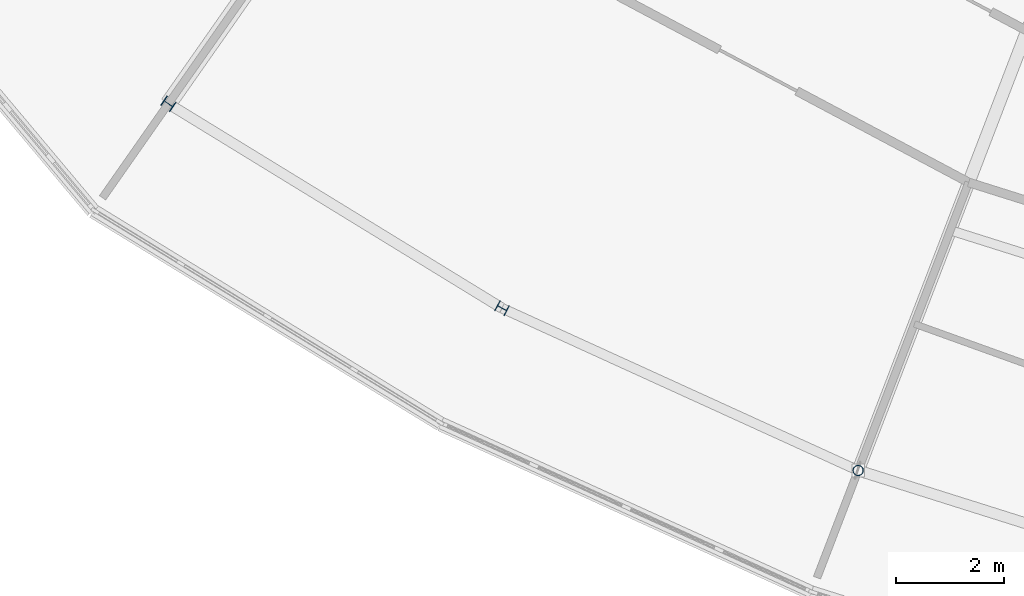
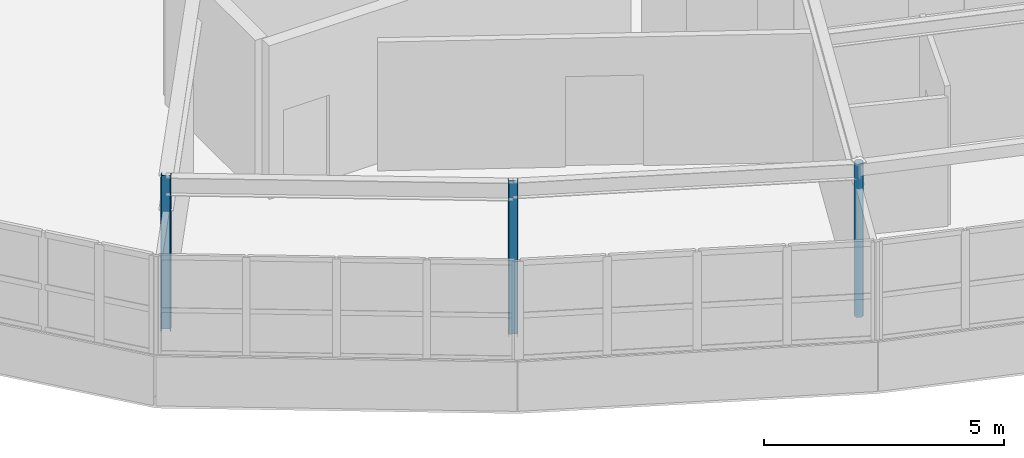
# One storey, part 1 of 60: 3 columns.
"""IFC4 building model written with IfcOpenShell, lengths in metres."""

from ifc_helpers import new_model, si_unit, direction, frame, origin, origin_2d, place, context, subcontext, project, spatial, hollow_circle, i_section, extrude, material, material_profile, profile_set, type_object, element, save


model = new_model("IFC4")

# Units and contexts
model_context = context("Model", 3, precision=1e-05, world=origin(), true_north=direction((0.0, 1.0)))
body_context = subcontext(model_context, "Body", "Model", "MODEL_VIEW")
ifc_project = project(units=[si_unit("LENGTHUNIT", "METRE"), si_unit("AREAUNIT", "SQUARE_METRE"), si_unit("VOLUMEUNIT", "CUBIC_METRE"), si_unit("PLANEANGLEUNIT", "RADIAN"), si_unit("MASSUNIT", "GRAM", prefix="KILO")], contexts=[model_context])

# Site, building, storey
site_placement = place(None, origin())
site = spatial("IfcSite", under=ifc_project, at=site_placement, CompositionType="ELEMENT")
building_placement = place(site_placement, origin())
building = spatial("IfcBuilding", under=site, at=building_placement, Name="Tarnwether General Hospital", CompositionType="ELEMENT")
storey_placement = place(building_placement, frame((0.0, 0.0, 26.10009765625)))
storey = spatial("IfcBuildingStorey", under=building, at=storey_placement, Name="L06", CompositionType="ELEMENT", Elevation=26.10009765625)

# Columns
ifc_material_1 = material(Name="Steel Grade 350 (350 MPa)", Category="steel")
ifc_material_profile_1 = material_profile(ifc_material_1, i_section(OverallWidth=0.205078125, OverallDepth=0.2099609375, WebThickness=0.00927734375, FlangeThickness=0.01416015625, at=origin_2d()), Name="200UC59.5")
ifc_profile_set_1 = profile_set([ifc_material_profile_1], Name="Steel Grade 350 (350 MPa)")
column_type_1 = type_object("IfcColumnType", Name="COL-25", PredefinedType="COLUMN", material=ifc_profile_set_1)
column_1_placement = place(storey_placement, frame((58.0439453125, 14.506103515625, 0.0), z_axis=(0.0, 0.0, 1.0), x_axis=(0.573576436351, 0.819152044289, 0.0)))
element("IfcColumn", 1, at=column_1_placement, inside=storey, type_object=column_type_1, Name="Column COLG-L06-5804_1451", PredefinedType="COLUMN", context=body_context, shape_type="SweptSolid", body=[
    extrude(i_section(OverallWidth=0.205078125, OverallDepth=0.2099609375, WebThickness=0.00927734375, FlangeThickness=0.01416015625, at=origin_2d()), origin(), (0.0, 0.0, 1.0), 3.89990234375),
])
ifc_material_2 = material(Name="Steel Grade 350 (350 MPa)", Category="steel")
ifc_material_profile_2 = material_profile(ifc_material_2, i_section(OverallWidth=0.202880859375, OverallDepth=0.202880859375, WebThickness=0.00732421875, FlangeThickness=0.010986328125, at=origin_2d()), Name="200UC46.2")
ifc_profile_set_2 = profile_set([ifc_material_profile_2], Name="Steel Grade 350 (350 MPa)")
column_type_2 = type_object("IfcColumnType", Name="COL-27", PredefinedType="COLUMN", material=ifc_profile_set_2)
column_2_placement = place(storey_placement, frame((64.20703125, 10.72998046875, 0.0), z_axis=(0.0, 0.0, 1.0), x_axis=(0.469471562786, 0.882947592859, 0.0)))
element("IfcColumn", 2, at=column_2_placement, inside=storey, type_object=column_type_2, Name="Column COLG-L06-6421_1073", PredefinedType="COLUMN", context=body_context, shape_type="SweptSolid", body=[
    extrude(i_section(OverallWidth=0.202880859375, OverallDepth=0.202880859375, WebThickness=0.00732421875, FlangeThickness=0.010986328125, at=origin_2d()), origin(), (0.0, 0.0, 1.0), 3.89990234375),
])
ifc_material_3 = material(Name="Steel Grade C350L0 (350 MPa)", Category="steel")
ifc_material_profile_3 = material_profile(ifc_material_3, hollow_circle(Radius=0.096923828125, WallThickness=0.008056640625, at=origin_2d()), Name="CHS193.7x8.0")
ifc_profile_set_3 = profile_set([ifc_material_profile_3], Name="Steel Grade C350L0 (350 MPa)")
column_type_3 = type_object("IfcColumnType", Name="COL-29", PredefinedType="COLUMN", material=ifc_profile_set_3)
column_3_placement = place(storey_placement, frame((70.784912109375, 7.73193359375, 0.0), z_axis=(0.0, 0.0, 1.0), x_axis=(0.358367949545, 0.933580426497, 0.0)))
element("IfcColumn", 3, at=column_3_placement, inside=storey, type_object=column_type_3, Name="Column COLG-L06-7078_773", PredefinedType="COLUMN", context=body_context, shape_type="SweptSolid", body=[
    extrude(hollow_circle(Radius=0.096923828125, WallThickness=0.008056640625, at=origin_2d()), origin(), (0.0, 0.0, 1.0), 3.89990234375),
])

save(model, "model.ifc")
